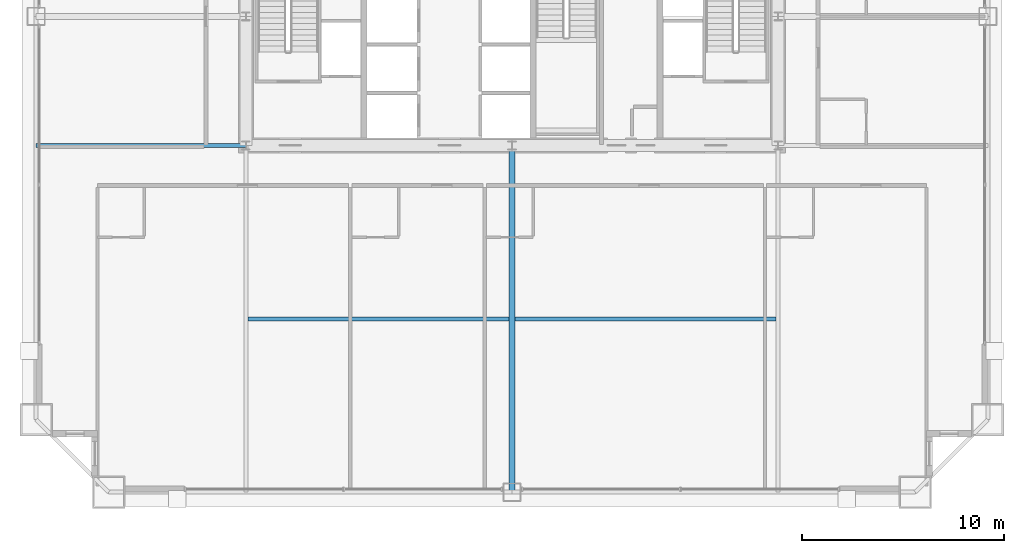
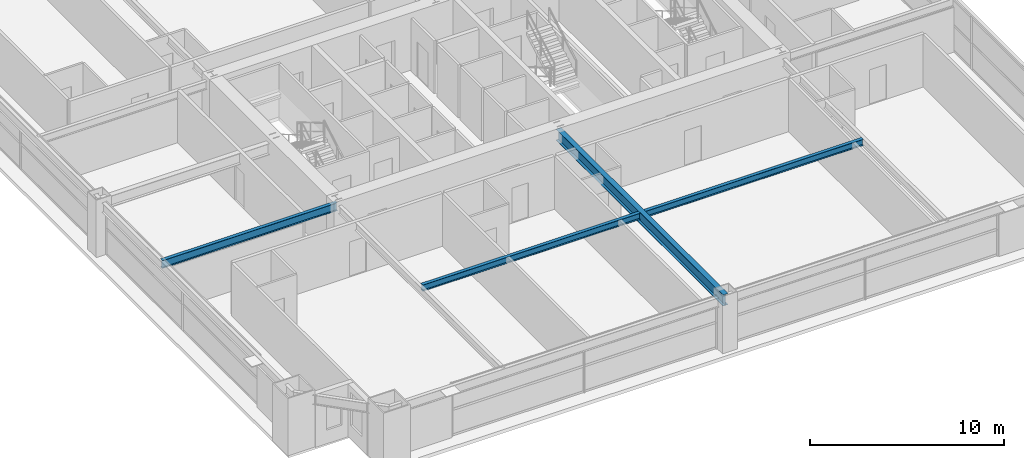
# One storey, part 10 of 38: 4 beams.
"""IFC4 building model written with IfcOpenShell, lengths in metres."""

from ifc_helpers import new_model, si_unit, direction, frame, origin, origin_2d, place, context, subcontext, project, spatial, i_section, extrude, source, transform, mapped, material, material_profile, profile_set, type_object, element, save


model = new_model("IFC4")

# Units and contexts
model_context = context("Model", 3, precision=1e-05, world=origin(), true_north=direction((0.0, 1.0)))
body_context = subcontext(model_context, "Body", "Model", "MODEL_VIEW")
ifc_project = project(units=[si_unit("LENGTHUNIT", "METRE"), si_unit("AREAUNIT", "SQUARE_METRE"), si_unit("VOLUMEUNIT", "CUBIC_METRE"), si_unit("PLANEANGLEUNIT", "RADIAN"), si_unit("MASSUNIT", "GRAM", prefix="KILO"), si_unit("THERMODYNAMICTEMPERATUREUNIT", "KELVIN"), si_unit("POWERUNIT", "WATT")], contexts=[model_context])

# Site, building, storey
site_placement = place(None, origin())
site = spatial("IfcSite", under=ifc_project, at=site_placement, CompositionType="ELEMENT")
building_placement = place(site_placement, origin())
building = spatial("IfcBuilding", under=site, at=building_placement, Name="Yuzanri Waterfront Tower", CompositionType="ELEMENT")
storey_placement = place(building_placement, frame((0.0, 0.0, 126.199951171875)))
storey = spatial("IfcBuildingStorey", under=building, at=storey_placement, Name="L33", CompositionType="ELEMENT", Elevation=126.199951171875)

# Beams
ifc_material_1 = material(Name="Steel Q355B", Category="steel")
ifc_material_profile_1 = material_profile(ifc_material_1, i_section(OverallWidth=0.199951171875, OverallDepth=0.39990234375, WebThickness=0.008056640625, FlangeThickness=0.012939453125, at=origin_2d()), Name="HN 400x200x8x13")
ifc_profile_set_1 = profile_set([ifc_material_profile_1], Name="Steel Q355B")
beam_type_1 = type_object("IfcBeamType", Name="Floor Joist Q355B HN 400x200", PredefinedType="JOIST", material=ifc_profile_set_1)
shared_shape_1 = source(origin(), body_context, "Body", "SweptSolid", [
    extrude(i_section(OverallWidth=0.199951171875, OverallDepth=0.39990234375, WebThickness=0.008056640625, FlangeThickness=0.012939453125, at=origin_2d()), origin(), (0.0, 0.0, 1.0), 12.9501953125),
])
for number, where, z_axis, x_axis, name in (
    (1, (23.89990234375, 10.800048828125, 3.1201171875), (1.0, 0.0, 0.0), (0.0, 1.0, 0.0), "L33 South Bay Joist W"),
    (2, (37.14990234375, 10.800048828125, 3.1201171875), (1.0, 0.0, 0.0), (0.0, 1.0, 0.0), "L33 South Bay Joist E"),
):
    element("IfcBeam", number, at=place(storey_placement, frame(where, z_axis=z_axis, x_axis=x_axis)), inside=storey, type_object=beam_type_1, Name=name, PredefinedType="JOIST", context=body_context, shape_type="MappedRepresentation", body=[
        mapped(shared_shape_1, transform((0.0, 0.0, 0.0), scale=1.0)),
    ])
ifc_material_2 = material(Name="Steel Q355B", Category="steel")
ifc_material_profile_2 = material_profile(ifc_material_2, i_section(OverallWidth=0.300048828125, OverallDepth=0.699951171875, WebThickness=0.012939453125, FlangeThickness=0.02392578125, at=origin_2d()), Name="HN 700x300x13x24")
ifc_profile_set_2 = profile_set([ifc_material_profile_2], Name="Steel Q355B")
beam_type_2 = type_object("IfcBeamType", Name="Primary Floor Girder Q355B HN 700x300", PredefinedType="BEAM", material=ifc_profile_set_2)
shared_shape_2 = source(origin(), body_context, "Body", "SweptSolid", [
    extrude(i_section(OverallWidth=0.300048828125, OverallDepth=0.699951171875, WebThickness=0.012939453125, FlangeThickness=0.02392578125, at=origin_2d()), origin(), (0.0, 0.0, 1.0), 17.199951171875),
])
beam_1_placement = place(storey_placement, frame((37.0, 19.39990234375, 2.969970703125), z_axis=(0.0, -1.0, 0.0), x_axis=(1.0, 0.0, 0.0)))
element("IfcBeam", 3, at=beam_1_placement, inside=storey, type_object=beam_type_2, Name="L33 South Grid Girder", PredefinedType="BEAM", context=body_context, shape_type="MappedRepresentation", body=[
    mapped(shared_shape_2, transform((0.0, 0.0, 0.0), scale=1.0)),
])
ifc_material_3 = material(Name="Steel Q355B", Category="steel")
ifc_material_profile_3 = material_profile(ifc_material_3, i_section(OverallWidth=0.199951171875, OverallDepth=0.5, WebThickness=0.010009765625, FlangeThickness=0.01611328125, at=origin_2d()), Name="HN 500x200x10x16")
ifc_profile_set_3 = profile_set([ifc_material_profile_3], Name="Steel Q355B")
beam_type_3 = type_object("IfcBeamType", Name="Secondary Floor Beam Q355B HN 500x200", PredefinedType="BEAM", material=ifc_profile_set_3)
shared_shape_3 = source(origin(), body_context, "Body", "SweptSolid", [
    extrude(i_section(OverallWidth=0.199951171875, OverallDepth=0.5, WebThickness=0.010009765625, FlangeThickness=0.01611328125, at=origin_2d()), origin(), (0.0, 0.0, 1.0), 10.400146484375),
])
beam_2_placement = place(storey_placement, frame((23.800048828125, 19.39990234375, 3.070068359375), z_axis=(-1.0, 0.0, 0.0), x_axis=(0.0, -1.0, 0.0)))
element("IfcBeam", 4, at=beam_2_placement, inside=storey, type_object=beam_type_3, Name="L33 West-South Core Line Beam", PredefinedType="BEAM", context=body_context, shape_type="MappedRepresentation", body=[
    mapped(shared_shape_3, transform((0.0, 0.0, 0.0), scale=1.0)),
])

save(model, "model.ifc")
